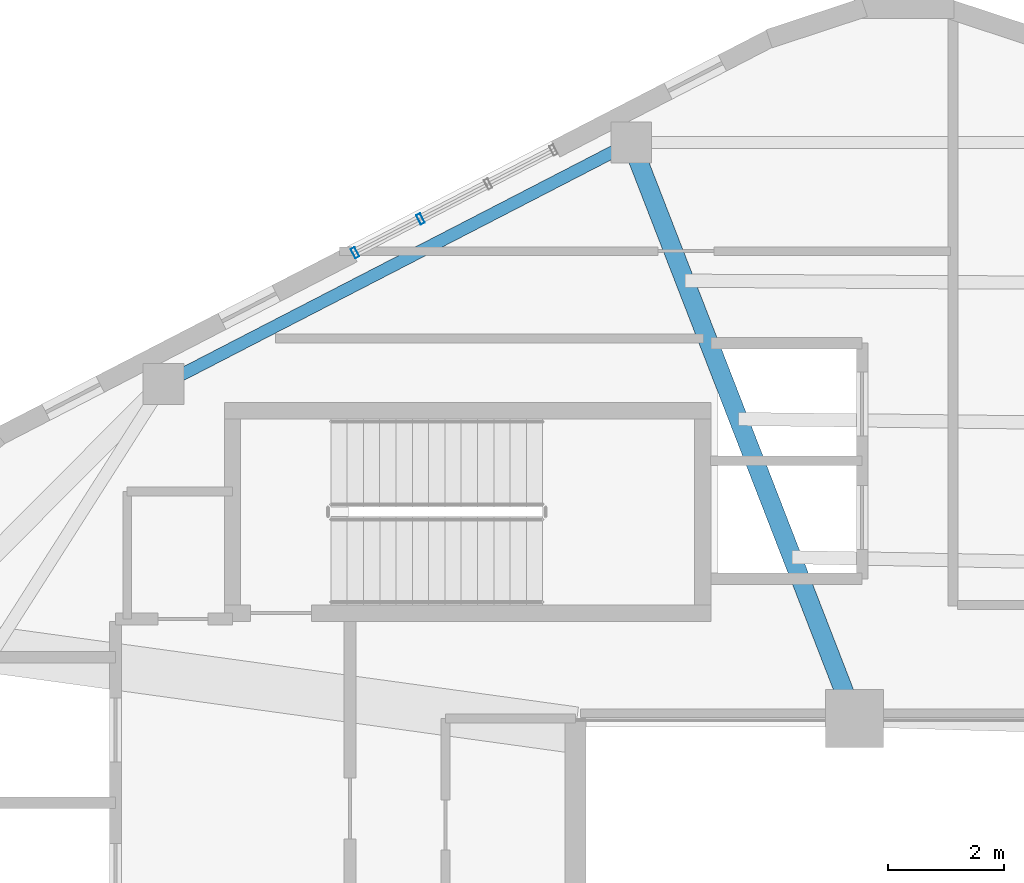
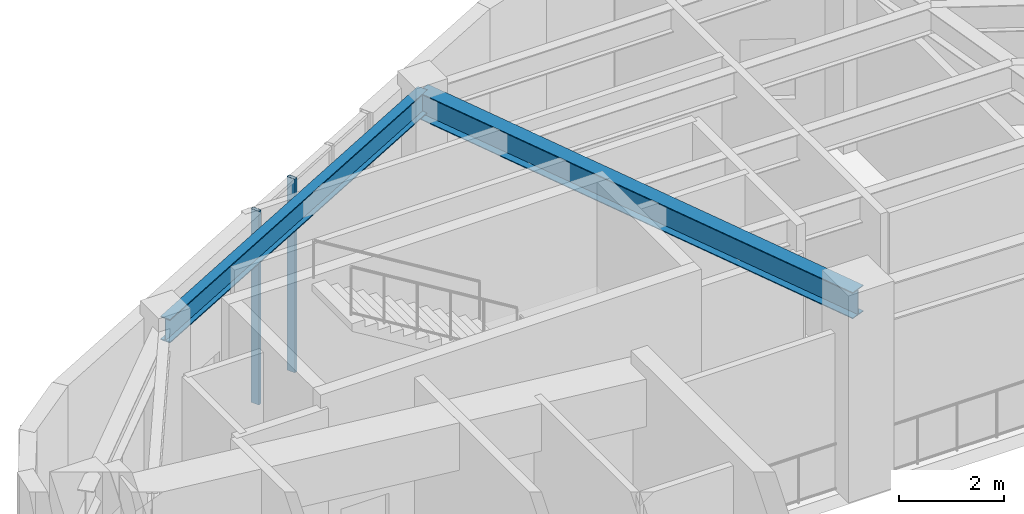
# One storey, part 6 of 19: 2 beams, 2 members, 1 element without a shape of its own.
"""IFC4 building model written with IfcOpenShell, lengths in metres."""

from ifc_helpers import new_model, si_unit, direction, frame, origin, origin_2d, place, context, subcontext, project, spatial, hollow_rectangle, i_section, extrude, material, layer, layer_set, material_profile, profile_set, type_object, element, aggregate, save


model = new_model("IFC4")

# Units and contexts
model_context = context("Model", 3, precision=1e-05, world=origin(), true_north=direction((0.0, 1.0)))
body_context = subcontext(model_context, "Body", "Model", "MODEL_VIEW")
ifc_project = project(units=[si_unit("LENGTHUNIT", "METRE"), si_unit("AREAUNIT", "SQUARE_METRE"), si_unit("VOLUMEUNIT", "CUBIC_METRE"), si_unit("PLANEANGLEUNIT", "RADIAN"), si_unit("MASSUNIT", "GRAM", prefix="KILO"), si_unit("THERMODYNAMICTEMPERATUREUNIT", "KELVIN"), si_unit("POWERUNIT", "WATT")], contexts=[model_context])

# Site, building, storey
site_placement = place(None, origin())
site = spatial("IfcSite", under=ifc_project, at=site_placement, CompositionType="ELEMENT")
building_placement = place(site_placement, origin())
building = spatial("IfcBuilding", under=site, at=building_placement, Name="Skarre Station Tower", CompositionType="ELEMENT")
storey_placement = place(building_placement, frame((0.0, 0.0, 275.10009765625)))
storey = spatial("IfcBuildingStorey", under=building, at=storey_placement, Name="L75", CompositionType="ELEMENT", Elevation=275.10009765625)

# Curtain wall, members
ifc_material_1 = material(Name="Thermally Broken Bronze-Anodized Aluminium & Triple Low-E Glass", Category="aluminium")
ifc_layer = layer(ifc_material_1, 0.219970703125, Name="Thermally Broken Bronze-Anodized Aluminium & Triple Low-E Glass")
ifc_layer_set = layer_set([ifc_layer], Name="Thermally Broken Bronze-Anodized Aluminium & Triple Low-E Glass")
curtain_wall_type = type_object("IfcCurtainWallType", Name="Observation Deck Panorama Unitised Curtain Wall", PredefinedType="NOTDEFINED", material=ifc_layer_set)
curtain_wall_placement = place(storey_placement, origin())
curtain_wall = element("IfcCurtainWall", 1, at=curtain_wall_placement, inside=storey, type_object=curtain_wall_type, Name="L75 Facet 1 Observatory Curtain Wall", PredefinedType="NOTDEFINED")
ifc_material_2 = material(Name="Anodized Aluminium 6063-T6", Category="aluminium")
ifc_material_profile_1 = material_profile(ifc_material_2, hollow_rectangle(XDim=0.074951171875, YDim=0.179931640625, WallThickness=0.00390625, at=origin_2d()), Name="Anodized Aluminium 6063-T6")
ifc_profile_set_1 = profile_set([ifc_material_profile_1], Name="Anodized Aluminium 6063-T6")
member_type = type_object("IfcMemberType", Name="Curtain-Wall Unitised Tower Mullion 180x75", PredefinedType="MULLION", material=ifc_profile_set_1)
member_1_placement = place(storey_placement, frame((23.764892578125, 37.552978515625, 0.0), z_axis=(0.0, 0.0, 1.0), x_axis=(0.88848110948, 0.458913192332, 0.0)))
member_1 = element("IfcMember", 2, at=member_1_placement, type_object=member_type, Name="L75 Facet 1 Observatory Curtain Wall Mullion 1", PredefinedType="MULLION", context=body_context, shape_type="SweptSolid", body=[
    extrude(hollow_rectangle(XDim=0.074951171875, YDim=0.179931640625, WallThickness=0.00390625, at=origin_2d()), origin(), (0.0, 0.0, 1.0), 4.489990234375),
])
member_2_placement = place(storey_placement, frame((24.889892578125, 38.135009765625, 0.0), z_axis=(0.0, 0.0, 1.0), x_axis=(0.88848110948, 0.458913192332, 0.0)))
member_2 = element("IfcMember", 3, at=member_2_placement, type_object=member_type, Name="L75 Facet 1 Observatory Curtain Wall Mullion 2", PredefinedType="MULLION", context=body_context, shape_type="SweptSolid", body=[
    extrude(hollow_rectangle(XDim=0.074951171875, YDim=0.179931640625, WallThickness=0.00390625, at=origin_2d()), origin(), (0.0, 0.0, 1.0), 4.489990234375),
])
aggregate(curtain_wall, [member_1, member_2])

# Beams
ifc_material_3 = material(Name="Steel ASTM A992 Grade 50", Category="steel")
ifc_material_profile_2 = material_profile(ifc_material_3, i_section(OverallWidth=0.323974609375, OverallDepth=0.611083984375, WebThickness=0.012939453125, FlangeThickness=0.01904296875, at=origin_2d()), Name="Steel ASTM A992 Grade 50")
ifc_profile_set_2 = profile_set([ifc_material_profile_2], Name="Steel ASTM A992 Grade 50")
beam_type_1 = type_object("IfcBeamType", Name="Steel Beam W24X104", PredefinedType="BEAM", material=ifc_profile_set_2)
beam_1_placement = place(storey_placement, frame((32.35009765625, 29.550048828125, 4.183837890625), z_axis=(-0.361651478681, 0.932313363611, 0.0), x_axis=(-0.932313363611, -0.361651478681, 0.0)))
element("IfcBeam", 4, at=beam_1_placement, inside=storey, type_object=beam_type_1, Name="L75 Radial Floor Girder F1C1", PredefinedType="BEAM", context=body_context, shape_type="SweptSolid", body=[
    extrude(i_section(OverallWidth=0.323974609375, OverallDepth=0.611083984375, WebThickness=0.012939453125, FlangeThickness=0.01904296875, at=origin_2d()), origin(), (0.0, 0.0, 1.0), 10.615478515625),
])
ifc_material_profile_3 = material_profile(ifc_material_3, i_section(OverallWidth=0.214111328125, OverallDepth=0.549072265625, WebThickness=0.014892578125, FlangeThickness=0.02392578125, at=origin_2d()), Name="Steel ASTM A992 Grade 50")
ifc_profile_set_3 = profile_set([ifc_material_profile_3], Name="Steel ASTM A992 Grade 50")
beam_type_2 = type_object("IfcBeamType", Name="Steel Spandrel W21X93", PredefinedType="SPANDREL", material=ifc_profile_set_3)
beam_2_placement = place(storey_placement, frame((28.510986328125, 39.447021484375, 4.21484375), z_axis=(-0.888610011727, -0.458663544505, 0.0), x_axis=(0.458663544505, -0.888610011727, 0.0)))
element("IfcBeam", 5, at=beam_2_placement, inside=storey, type_object=beam_type_2, Name="L75 Facet Spandrel Beam 3", PredefinedType="SPANDREL", context=body_context, shape_type="SweptSolid", body=[
    extrude(i_section(OverallWidth=0.214111328125, OverallDepth=0.549072265625, WebThickness=0.014892578125, FlangeThickness=0.02392578125, at=origin_2d()), origin(), (0.0, 0.0, 1.0), 9.045654296875),
])

save(model, "model.ifc")
